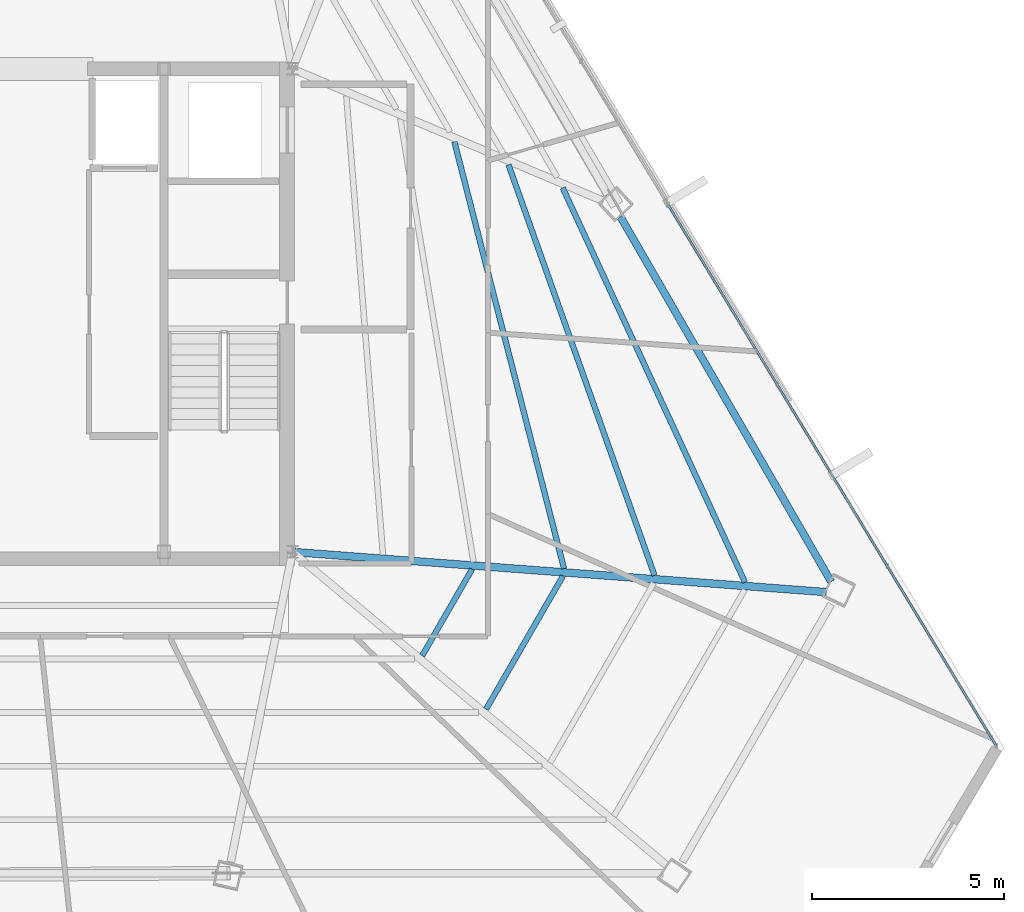
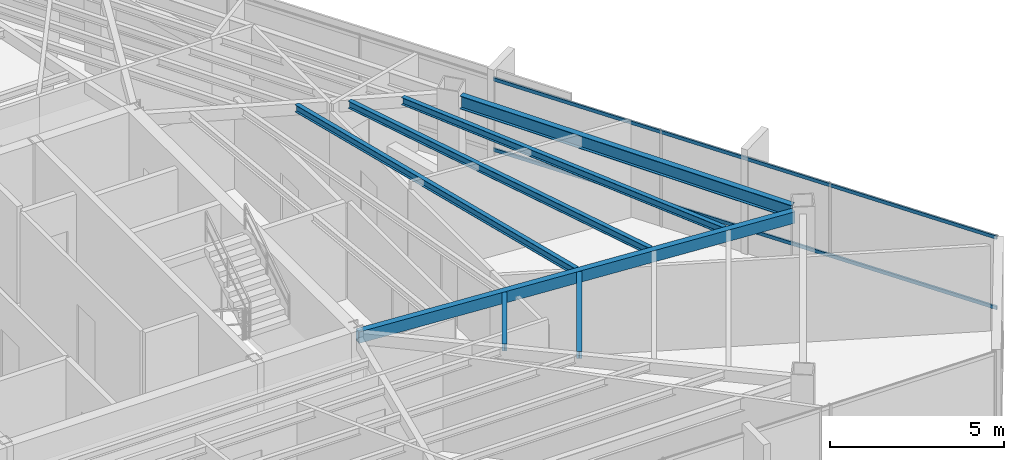
# One storey, part 24 of 46: 7 beams, 2 members, 1 element without a shape of its own.
"""IFC4 building model written with IfcOpenShell, lengths in metres."""

from ifc_helpers import new_model, si_unit, direction, frame, origin, origin_2d, place, context, subcontext, project, spatial, hollow_rectangle, i_section, extrude, source, transform, mapped, material, material_profile, profile_set, type_object, type_shapes, element, aggregate, save


model = new_model("IFC4")

# Units and contexts
model_context = context("Model", 3, precision=1e-05, world=origin(), true_north=direction((0.0, 1.0)))
body_context = subcontext(model_context, "Body", "Model", "MODEL_VIEW")
ifc_project = project(units=[si_unit("LENGTHUNIT", "METRE"), si_unit("AREAUNIT", "SQUARE_METRE"), si_unit("VOLUMEUNIT", "CUBIC_METRE"), si_unit("PLANEANGLEUNIT", "RADIAN"), si_unit("MASSUNIT", "GRAM", prefix="KILO")], contexts=[model_context])

# Site, building, storey
site_placement = place(None, origin())
site = spatial("IfcSite", under=ifc_project, at=site_placement, CompositionType="ELEMENT")
building_placement = place(site_placement, origin())
building = spatial("IfcBuilding", under=site, at=building_placement, Name="Caelisora Broadcast Tower", CompositionType="ELEMENT")
storey_placement = place(building_placement, frame((0.0, 0.0, 237.14990234375)))
storey = spatial("IfcBuildingStorey", under=building, at=storey_placement, Name="L62", CompositionType="ELEMENT", Elevation=237.14990234375)

# Beams
ifc_material_1 = material(Name="Steel Grade 350 (AS/NZS 3679.1)", Category="steel")
ifc_material_profile_1 = material_profile(ifc_material_1, i_section(OverallWidth=0.19091796875, OverallDepth=0.46044921875, WebThickness=0.010009765625, FlangeThickness=0.01611328125, at=origin_2d()), Name="Steel Grade 350 (AS/NZS 3679.1)")
ifc_profile_set_1 = profile_set([ifc_material_profile_1], Name="Steel Grade 350 (AS/NZS 3679.1)")
beam_type_1 = type_object("IfcBeamType", Name="PG06", PredefinedType="BEAM", material=ifc_profile_set_1)
shared_shape_1 = source(origin(), body_context, "Body", "SweptSolid", [
    extrude(i_section(OverallWidth=0.19091796875, OverallDepth=0.46044921875, WebThickness=0.010009765625, FlangeThickness=0.01611328125, at=origin_2d()), origin(), (0.0, 0.0, 1.0), 10.9931640625),
])
type_shapes(beam_type_1, [shared_shape_1])
beam_1_placement = place(storey_placement, frame((59.553466796875, 16.62255859375, 3.169921875), z_axis=(-0.500003768561, 0.866023227994, 0.0), x_axis=(-0.866023227994, -0.500003768561, 0.0)))
element("IfcBeam", 1, at=beam_1_placement, inside=storey, type_object=beam_type_1, Name="L62 beam PG06", PredefinedType="BEAM", context=body_context, shape_type="MappedRepresentation", body=[
    mapped(shared_shape_1, transform((0.0, 0.0, 0.0), scale=1.0)),
])
ifc_material_2 = material(Name="Steel Grade 350 (AS/NZS 1163 C350L0)", Category="steel")
ifc_material_profile_2 = material_profile(ifc_material_2, hollow_rectangle(XDim=0.199951171875, YDim=0.39990234375, WallThickness=0.012451171875, at=origin_2d()), Name="Steel Grade 350 (AS/NZS 1163 C350L0)")
ifc_profile_set_2 = profile_set([ifc_material_profile_2], Name="Steel Grade 350 (AS/NZS 1163 C350L0)")
beam_type_2 = type_object("IfcBeamType", Name="PG07", PredefinedType="BEAM", material=ifc_profile_set_2)
shared_shape_2 = source(origin(), body_context, "Body", "SweptSolid", [
    extrude(hollow_rectangle(XDim=0.199951171875, YDim=0.39990234375, WallThickness=0.012451171875, at=origin_2d()), origin(), (0.0, 0.0, 1.0), 13.90478515625),
])
type_shapes(beam_type_2, [shared_shape_2])
beam_2_placement = place(storey_placement, frame((45.559814453125, 17.3955078125, 3.2001953125), z_axis=(0.997181570976, -0.075026092173, 0.0), x_axis=(0.075026092173, 0.997181570976, 0.0)))
element("IfcBeam", 2, at=beam_2_placement, inside=storey, type_object=beam_type_2, Name="L62 beam PG07", PredefinedType="BEAM", context=body_context, shape_type="MappedRepresentation", body=[
    mapped(shared_shape_2, transform((0.0, 0.0, 0.0), scale=1.0)),
])
ifc_material_profile_3 = material_profile(ifc_material_1, i_section(OverallWidth=0.14599609375, OverallDepth=0.256103515625, WebThickness=0.00634765625, FlangeThickness=0.010986328125, at=origin_2d()), Name="Steel Grade 350 (AS/NZS 3679.1)")
ifc_profile_set_3 = profile_set([ifc_material_profile_3], Name="Steel Grade 350 (AS/NZS 3679.1)")
beam_type_3 = type_object("IfcBeamType", Name="SB04", PredefinedType="JOIST", material=ifc_profile_set_3)
shared_shape_3 = source(origin(), body_context, "Body", "SweptSolid", [
    extrude(i_section(OverallWidth=0.14599609375, OverallDepth=0.256103515625, WebThickness=0.00634765625, FlangeThickness=0.010986328125, at=origin_2d()), origin(), (0.0, 0.0, 1.0), 11.496337890625),
])
beam_3_placement = place(storey_placement, frame((52.585693359375, 16.96435546875, 3.27197265625), z_axis=(-0.248871436077, 0.968536529154, 0.0), x_axis=(-0.968536529154, -0.248871436077, 0.0)))
element("IfcBeam", 3, at=beam_3_placement, inside=storey, type_object=beam_type_3, Name="L62 beam SB04", PredefinedType="JOIST", context=body_context, shape_type="MappedRepresentation", body=[
    mapped(shared_shape_3, transform((0.0, 0.0, 0.0), scale=1.0)),
])
shared_shape_4 = source(origin(), body_context, "Body", "SweptSolid", [
    extrude(i_section(OverallWidth=0.14599609375, OverallDepth=0.256103515625, WebThickness=0.00634765625, FlangeThickness=0.010986328125, at=origin_2d()), origin(), (0.0, 0.0, 1.0), 11.368896484375),
])
beam_4_placement = place(storey_placement, frame((54.94580078125, 16.786865234375, 3.27197265625), z_axis=(-0.335066860233, 0.942194353185, 0.0), x_axis=(-0.942194353185, -0.335066860233, 0.0)))
element("IfcBeam", 4, at=beam_4_placement, inside=storey, type_object=beam_type_3, Name="L62 beam SB04", PredefinedType="JOIST", context=body_context, shape_type="MappedRepresentation", body=[
    mapped(shared_shape_4, transform((0.0, 0.0, 0.0), scale=1.0)),
])
shared_shape_5 = source(origin(), body_context, "Body", "SweptSolid", [
    extrude(i_section(OverallWidth=0.14599609375, OverallDepth=0.256103515625, WebThickness=0.00634765625, FlangeThickness=0.010986328125, at=origin_2d()), origin(), (0.0, 0.0, 1.0), 11.333251953125),
])
beam_5_placement = place(storey_placement, frame((57.30517578125, 16.609375, 3.27197265625), z_axis=(-0.419488446091, 0.907760675286, 0.0), x_axis=(-0.907760675286, -0.419488446091, 0.0)))
element("IfcBeam", 5, at=beam_5_placement, inside=storey, type_object=beam_type_3, Name="L62 beam SB04", PredefinedType="JOIST", context=body_context, shape_type="MappedRepresentation", body=[
    mapped(shared_shape_5, transform((0.0, 0.0, 0.0), scale=1.0)),
])
shared_shape_6 = source(origin(), body_context, "Body", "SweptSolid", [
    extrude(i_section(OverallWidth=0.14599609375, OverallDepth=0.256103515625, WebThickness=0.00634765625, FlangeThickness=0.010986328125, at=origin_2d()), origin(), (0.0, 0.0, 1.0), 2.60595703125),
])
beam_6_placement = place(storey_placement, frame((48.8837890625, 14.69287109375, 3.27197265625), z_axis=(0.499998180979, 0.866026453994, 0.0), x_axis=(-0.866026453994, 0.499998180979, 0.0)))
element("IfcBeam", 6, at=beam_6_placement, inside=storey, type_object=beam_type_3, Name="L62 beam SB04", PredefinedType="JOIST", context=body_context, shape_type="MappedRepresentation", body=[
    mapped(shared_shape_6, transform((0.0, 0.0, 0.0), scale=1.0)),
])
shared_shape_7 = source(origin(), body_context, "Body", "SweptSolid", [
    extrude(i_section(OverallWidth=0.14599609375, OverallDepth=0.256103515625, WebThickness=0.00634765625, FlangeThickness=0.010986328125, at=origin_2d()), origin(), (0.0, 0.0, 1.0), 4.01220703125),
])
type_shapes(beam_type_3, [shared_shape_3, shared_shape_4, shared_shape_5, shared_shape_6, shared_shape_7])
beam_7_placement = place(storey_placement, frame((50.551025390625, 13.296875, 3.27197265625), z_axis=(0.500006889861, 0.866021425885, 0.0), x_axis=(-0.866021425885, 0.500006889861, 0.0)))
element("IfcBeam", 7, at=beam_7_placement, inside=storey, type_object=beam_type_3, Name="L62 beam SB04", PredefinedType="JOIST", context=body_context, shape_type="MappedRepresentation", body=[
    mapped(shared_shape_7, transform((0.0, 0.0, 0.0), scale=1.0)),
])

# Curtain wall, members
ifc_material_3 = material(Name="Unitised Aluminium and Low-E Glass Curtain Wall", Category="glass")
curtain_wall_type = type_object("IfcCurtainWallType", Name="CW-Z5", PredefinedType="NOTDEFINED", material=ifc_material_3)
curtain_wall_placement = place(storey_placement, origin())
curtain_wall = element("IfcCurtainWall", 8, at=curtain_wall_placement, inside=storey, type_object=curtain_wall_type, Name="L62 curtain wall CW-Z5", PredefinedType="NOTDEFINED")
ifc_material_4 = material(Name="Aluminium 6063-T6 Anodised Terracotta Bronze", Category="aluminium")
ifc_material_profile_4 = material_profile(ifc_material_4, hollow_rectangle(XDim=0.06005859375, YDim=0.1201171875, WallThickness=0.0029296875, at=origin_2d()), Name="Aluminium 6063-T6 Anodised Terracotta Bronze")
ifc_profile_set_4 = profile_set([ifc_material_profile_4], Name="Aluminium 6063-T6 Anodised Terracotta Bronze")
member_type = type_object("IfcMemberType", Name="CWT-03", PredefinedType="USERDEFINED", material=ifc_profile_set_4)
shared_shape_8 = source(origin(), body_context, "Body", "SweptSolid", [
    extrude(hollow_rectangle(XDim=0.06005859375, YDim=0.1201171875, WallThickness=0.0029296875, at=origin_2d()), origin(), (0.0, 0.0, 1.0), 16.5078125),
])
type_shapes(member_type, [shared_shape_8])
member_1_placement = place(storey_placement, frame((55.299560546875, 26.45556640625, 0.85009765625), z_axis=(0.518574394163, -0.855032512667, 0.0), x_axis=(0.855032512667, 0.518574394163, 0.0)))
member_1 = element("IfcMember", 9, at=member_1_placement, type_object=member_type, Name="L62-CW-B03 transom #1", ObjectType="TRANSOM", PredefinedType="USERDEFINED", context=body_context, shape_type="MappedRepresentation", body=[
    mapped(shared_shape_8, transform((0.0, 0.0, 0.0), scale=1.0)),
])
member_2_placement = place(storey_placement, frame((55.299560546875, 26.45556640625, 3.320068359375), z_axis=(0.518574394163, -0.855032512667, 0.0), x_axis=(0.855032512667, 0.518574394163, 0.0)))
member_2 = element("IfcMember", 10, at=member_2_placement, type_object=member_type, Name="L62-CW-B03 transom #2", ObjectType="TRANSOM", PredefinedType="USERDEFINED", context=body_context, shape_type="MappedRepresentation", body=[
    mapped(shared_shape_8, transform((0.0, 0.0, 0.0), scale=1.0)),
])
aggregate(curtain_wall, [member_1, member_2])

save(model, "model.ifc")
